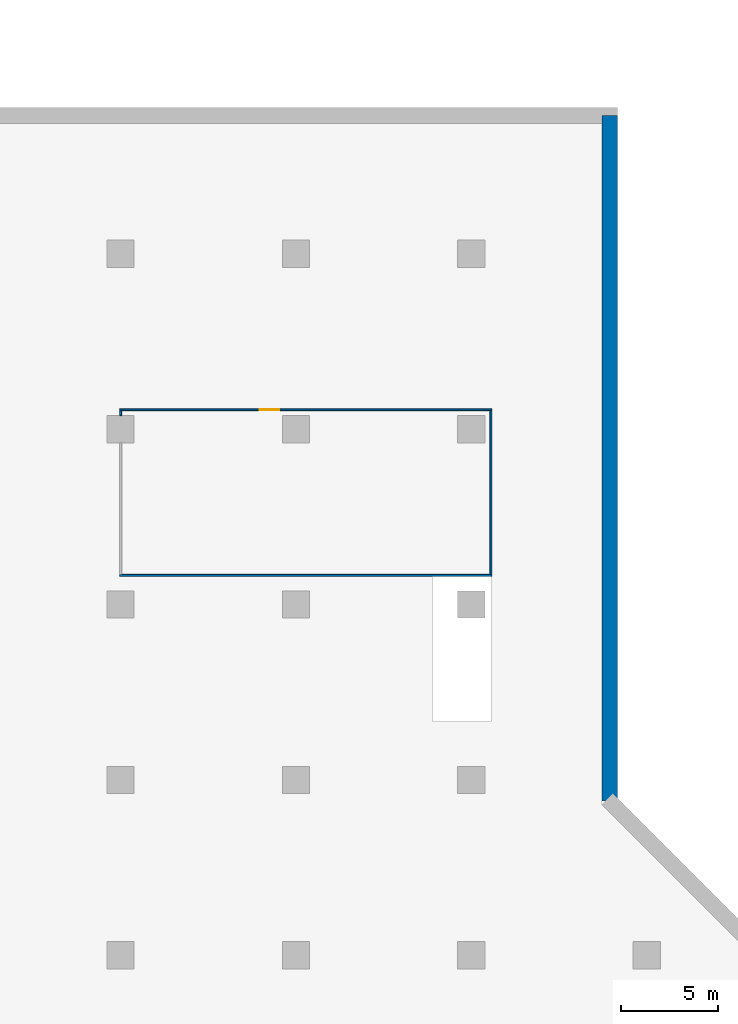
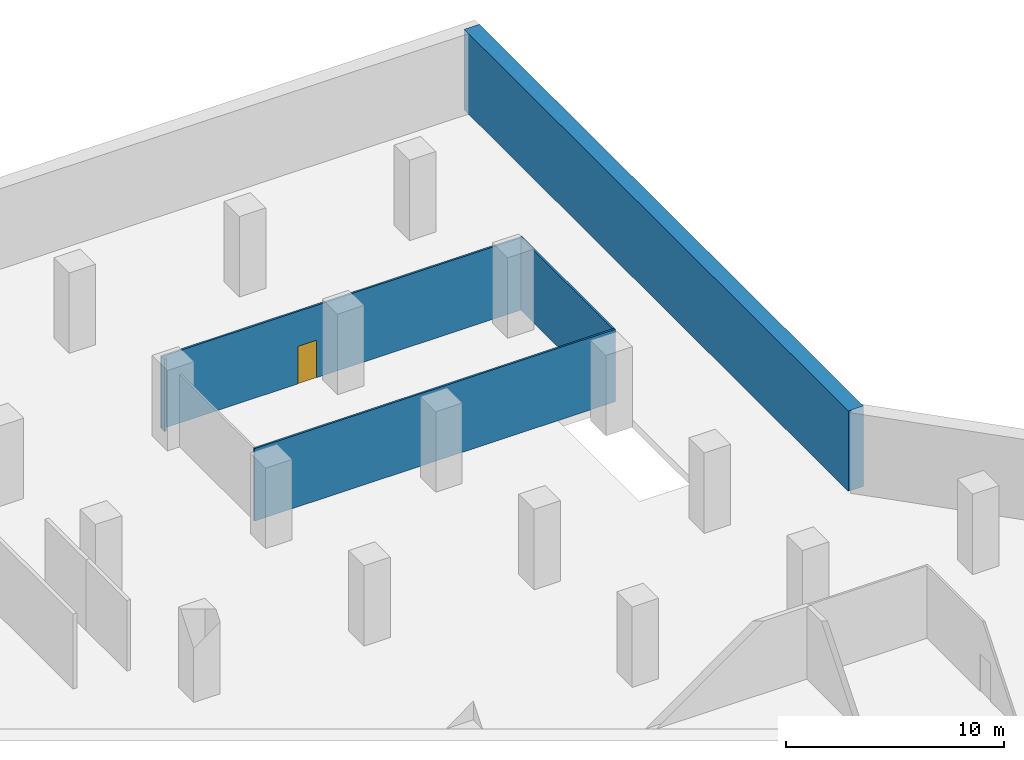
# One storey, part 7 of 10: 5 walls, 1 door, 1 opening.
"""IFC4 building model written with IfcOpenShell, lengths in metres."""

import ifcopenshell
import ifcopenshell.guid

model = None  # the IFC model being written
_history = None  # IfcOwnerHistory: only IFC2X3 demands one
_inside = {}  # id of a spatial element -> (the spatial element, [elements in it])
_under = {}  # id of a project, library or spatial element -> (it, [spatial elements below it])
_declared = {}  # id of a project -> (the project, [libraries it declares])
_typed = {}  # id of a type object -> (the type object, [elements of that type])
_made_of = {}  # id of a material, layer set ... -> (it, [elements and type objects made of it])


def new_model(schema):
    """Start an empty IFC model of exactly this schema.

    Asked for "IFC4X3", IfcOpenShell would pick the latest addendum, in which some entities
    have other attributes; the version numbers below select the first issue.
    IFC2X3 requires an IfcOwnerHistory on every rooted entity: one is made here for all.
    """
    global model, _history
    if schema == "IFC4X3":
        model = ifcopenshell.file(schema_version=(4, 3, 0, 0))
    else:
        model = ifcopenshell.file(schema=schema)
    _inside.clear()
    _under.clear()
    _declared.clear()
    _typed.clear()
    _made_of.clear()
    _history = None
    if model.schema == "IFC2X3":
        org = make("IfcOrganization", Name="unknown")
        user = make(
            "IfcPersonAndOrganization",
            ThePerson=make("IfcPerson", FamilyName="unknown"),
            TheOrganization=org,
        )
        app = make(
            "IfcApplication",
            ApplicationDeveloper=org,
            Version="unknown",
            ApplicationFullName="unknown",
            ApplicationIdentifier="unknown",
        )
        _history = make(
            "IfcOwnerHistory",
            OwningUser=user,
            OwningApplication=app,
            ChangeAction="ADDED",
            CreationDate=0,
        )
    return model


def make(cls, **values):
    """One entity of the class cls with the attributes given. An attribute that is None is left unset."""
    return model.create_entity(
        cls, **{name: value for name, value in values.items() if value is not None}
    )


def rooted(cls, **values):
    """An entity with a GlobalId (a new one), such as an element, a storey or a relation."""
    return make(cls, GlobalId=ifcopenshell.guid.new(), OwnerHistory=_history, **values)


def si_unit(unit_type, name, prefix=None):
    """IfcSIUnit, for example si_unit("LENGTHUNIT", "METRE", prefix="MILLI")."""
    return make("IfcSIUnit", UnitType=unit_type, Prefix=prefix, Name=name)


def assignment(units):
    """IfcUnitAssignment: the units of a project."""
    return None if units is None else make("IfcUnitAssignment", Units=units)


def point(xyz):
    """IfcCartesianPoint."""
    return None if xyz is None else make("IfcCartesianPoint", Coordinates=xyz)


def direction(xyz):
    """IfcDirection."""
    return None if xyz is None else make("IfcDirection", DirectionRatios=xyz)


def frame(location, z_axis=None, x_axis=None):
    """IfcAxis2Placement3D, a coordinate frame: its origin and axes. An axis left out is left unset."""
    return make(
        "IfcAxis2Placement3D",
        Location=point(location),
        Axis=direction(z_axis),
        RefDirection=direction(x_axis),
    )


def frame_2d(location, x_axis=None):
    """IfcAxis2Placement2D, a coordinate frame in the plane: its origin and x axis."""
    return make(
        "IfcAxis2Placement2D", Location=point(location), RefDirection=direction(x_axis)
    )


def origin():
    """The frame at (0, 0, 0) with its axes left unset."""
    return frame((0.0, 0.0, 0.0))


def place(relative_to, where):
    """IfcLocalPlacement: puts the frame where relative to a parent placement (None: the world)."""
    return make(
        "IfcLocalPlacement", PlacementRelTo=relative_to, RelativePlacement=where
    )


def context(
    kind, dimensions, precision=None, world=None, true_north=None, identifier=None
):
    """IfcGeometricRepresentationContext, for example the 3D "Model" context."""
    return make(
        "IfcGeometricRepresentationContext",
        ContextIdentifier=identifier,
        ContextType=kind,
        CoordinateSpaceDimension=dimensions,
        Precision=precision,
        WorldCoordinateSystem=world,
        TrueNorth=true_north,
    )


def subcontext(parent, identifier, kind, view, scale=None):
    """IfcGeometricRepresentationSubContext, for example "Body" below "Model"."""
    return make(
        "IfcGeometricRepresentationSubContext",
        ContextIdentifier=identifier,
        ContextType=kind,
        ParentContext=parent,
        TargetScale=scale,
        TargetView=view,
    )


def project(units=None, contexts=None):
    """IfcProject with its units and contexts."""
    return rooted(
        "IfcProject",
        Name="project",
        RepresentationContexts=contexts,
        UnitsInContext=assignment(units),
    )


def spatial(cls, under=None, at=None, **own):
    """A site, building, storey or space (cls), placed at a placement, below another one or the project."""
    s = rooted(cls, ObjectPlacement=at, **own)
    if under is not None:
        _under.setdefault(under.id(), (under, []))[1].append(s)
    return s


def profile(cls, at=None, kind="AREA", **sizes):
    """A parametric profile (cls). Its sizes go by their IFC names, for example OverallWidth=200.0."""
    return make(cls, ProfileType=kind, Position=at, **sizes)


def rectangle(**sizes):
    """IfcRectangleProfileDef."""
    return profile("IfcRectangleProfileDef", **sizes)


def extrude(swept, where, along, depth):
    """IfcExtrudedAreaSolid: the profile swept, set in the frame where, extruded along a direction by depth."""
    return make(
        "IfcExtrudedAreaSolid",
        SweptArea=swept,
        Position=where,
        ExtrudedDirection=direction(along),
        Depth=depth,
    )


def shape(context_of_items, identifier, shape_type, items):
    """IfcShapeRepresentation: the items that make up one representation, for example the "Body"."""
    return make(
        "IfcShapeRepresentation",
        ContextOfItems=context_of_items,
        RepresentationIdentifier=identifier,
        RepresentationType=shape_type,
        Items=items,
    )


def material(Name=None, Category=None):
    """IfcMaterial."""
    return make("IfcMaterial", Name=Name, Category=Category)


def layer(
    of_material, thickness, ventilated=None, Name=None, Category=None, Priority=None
):
    """IfcMaterialLayer: one layer of a wall or slab, of a material (None: an air gap)."""
    return make(
        "IfcMaterialLayer",
        Material=of_material,
        LayerThickness=thickness,
        IsVentilated=ventilated,
        Name=Name,
        Category=Category,
        Priority=Priority,
    )


def layer_set(layers, Name=None):
    """IfcMaterialLayerSet."""
    return make("IfcMaterialLayerSet", MaterialLayers=layers, LayerSetName=Name)


def made_of(thing, what):
    """Note that an element or type object is made of a material, layer set ...; save() writes the relation."""
    if what is not None:
        _made_of.setdefault(what.id(), (what, []))[1].append(thing)
    return thing


def type_object(cls, material=None, **own):
    """A type object (cls), such as IfcWallType, which elements share."""
    return made_of(rooted(cls, **own), material)


def element(
    cls,
    number,
    at=None,
    inside=None,
    cuts=None,
    type_object=None,
    material=None,
    context=None,
    identifier="Body",
    shape_type=None,
    held_by="IfcProductDefinitionShape",
    body=None,
    shapes=None,
    **own,
):
    """One element of the class cls, such as IfcWall. Its Tag is "e" and its number.

    at: its placement. inside: the storey or other place that contains it. cuts: it is an
    opening in that element (IfcRelVoidsElement). A single representation is given by context,
    identifier, shape_type and body (its items); several are given by shapes. held_by: the class
    of the entity that holds the representations. save() writes the other relations.
    """
    e = rooted(cls, Tag="e%d" % number, ObjectPlacement=at, **own)
    if body is not None:
        shapes = [shape(context, identifier, shape_type, body)]
    if shapes is not None:
        e.Representation = make(held_by, Representations=shapes)
    if inside is not None:
        _inside.setdefault(inside.id(), (inside, []))[1].append(e)
    if cuts is not None:
        rooted(
            "IfcRelVoidsElement", RelatingBuildingElement=cuts, RelatedOpeningElement=e
        )
    if type_object is not None:
        _typed.setdefault(type_object.id(), (type_object, []))[1].append(e)
    return made_of(e, material)


def fill(opening, filler):
    """IfcRelFillsElement: the door or window that sits in an opening."""
    return rooted(
        "IfcRelFillsElement",
        RelatingOpeningElement=opening,
        RelatedBuildingElement=filler,
    )


def aggregate(whole, parts):
    """IfcRelAggregates: a whole, such as a stair, and the parts it consists of."""
    return rooted("IfcRelAggregates", RelatingObject=whole, RelatedObjects=parts)


def save(model, path):
    """Write the relations noted so far, then the file.

    IfcRelAggregates (storeys below a building ...), IfcRelContainedInSpatialStructure (elements
    in a storey), IfcRelDefinesByType, IfcRelAssociatesMaterial and IfcRelDeclares: one each for
    every whole, place, type object, material and project.
    """
    for whole, parts in _under.values():
        aggregate(whole, parts)
    for where, things in _inside.values():
        rooted(
            "IfcRelContainedInSpatialStructure",
            RelatedElements=things,
            RelatingStructure=where,
        )
    for kind, things in _typed.values():
        rooted("IfcRelDefinesByType", RelatedObjects=things, RelatingType=kind)
    for what, things in _made_of.values():
        rooted("IfcRelAssociatesMaterial", RelatedObjects=things, RelatingMaterial=what)
    for by, libraries in _declared.values():
        rooted("IfcRelDeclares", RelatingContext=by, RelatedDefinitions=libraries)
    model.write(path)


model = new_model("IFC4")

# Units and contexts
model_context = context("Model", 3, precision=1e-05, world=origin(), true_north=direction((0.0, 1.0)))
body_context = subcontext(model_context, "Body", "Model", "MODEL_VIEW")
ifc_project = project(units=[si_unit("LENGTHUNIT", "METRE"), si_unit("AREAUNIT", "SQUARE_METRE"), si_unit("VOLUMEUNIT", "CUBIC_METRE"), si_unit("PLANEANGLEUNIT", "RADIAN"), si_unit("MASSUNIT", "GRAM", prefix="KILO")], contexts=[model_context])

# Site, building, storey
site_placement = place(None, origin())
site = spatial("IfcSite", under=ifc_project, at=site_placement, CompositionType="ELEMENT")
building_placement = place(site_placement, origin())
building = spatial("IfcBuilding", under=site, at=building_placement, Name="Chenar Terraces", CompositionType="ELEMENT")
storey_placement = place(building_placement, frame((0.0, 0.0, -9.0)))
storey = spatial("IfcBuildingStorey", under=building, at=storey_placement, Name="B2", CompositionType="ELEMENT", Elevation=-9.0)

# Walls
ifc_material_1 = material(Name="Concrete C40/50", Category="concrete")
ifc_layer_1 = layer(ifc_material_1, 0.800048828125)
ifc_layer_set_1 = layer_set([ifc_layer_1], Name="Concrete C40/50")
wall_type_1 = type_object("IfcWallType", Name="Diaphragm wall 800 Concrete C40/50", PredefinedType="SOLIDWALL", material=ifc_layer_set_1)
wall_1_placement = place(storey_placement, frame((79.10009765625, 43.91162109375, 0.0), z_axis=(0.0, 0.0, 1.0), x_axis=(0.0, 1.0, 0.0)))
element("IfcWall", 1, at=wall_1_placement, inside=storey, type_object=wall_type_1, Name="Diaphragm wall B2 10", PredefinedType="SOLIDWALL", context=body_context, shape_type="SweptSolid", body=[
    extrude(rectangle(XDim=35.1884765625, YDim=0.800048828125, at=frame_2d((17.59423828125, 0.0))), origin(), (0.0, 0.0, 1.0), 4.5),
])
ifc_material_2 = material(Name="Gypsum board on steel studs", Category="steel")
ifc_layer_2 = layer(ifc_material_2, 0.10009765625)
ifc_layer_set_2 = layer_set([ifc_layer_2], Name="Gypsum board on steel studs")
wall_type_2 = type_object("IfcWallType", Name="Gypsum partition 100", PredefinedType="PARTITIONING", material=ifc_layer_set_2)
wall_2_placement = place(storey_placement, frame((53.949951171875, 55.5, 0.0), z_axis=(0.0, 0.0, 1.0), x_axis=(1.0, 0.0, 0.0)))
element("IfcWall", 2, at=wall_2_placement, inside=storey, type_object=wall_type_2, Name="Partition B2-019", PredefinedType="PARTITIONING", context=body_context, shape_type="SweptSolid", body=[
    extrude(rectangle(XDim=19.10009765625, YDim=0.10009765625, at=frame_2d((9.550048828125, 0.0))), origin(), (0.0, 0.0, 1.0), 4.050048828125),
])

# Wall, opening, door
wall_3_placement = place(storey_placement, frame((53.949951171875, 64.0, 0.0), z_axis=(0.0, 0.0, 1.0), x_axis=(1.0, 0.0, 0.0)))
wall_3 = element("IfcWall", 3, at=wall_3_placement, inside=storey, type_object=wall_type_2, Name="Partition B2-020", PredefinedType="PARTITIONING", context=body_context, shape_type="SweptSolid", body=[
    extrude(rectangle(XDim=19.10009765625, YDim=0.10009765625, at=frame_2d((9.550048828125, 0.0))), origin(), (0.0, 0.0, 1.0), 4.050048828125),
])
opening_placement = place(wall_3_placement, frame((7.199951171875, 0.0, 0.0)))
opening = element("IfcOpeningElement", 4, at=opening_placement, cuts=wall_3, Name="Opening DB2-11", PredefinedType="OPENING", context=body_context, shape_type="SweptSolid", body=[
    extrude(rectangle(XDim=1.0, YDim=2.10009765625, at=frame_2d((0.5, 1.050048828125))), frame((0.0, 0.06005859375, 0.0), z_axis=(0.0, -1.0, 0.0), x_axis=(1.0, 0.0, 0.0)), (0.0, 0.0, 1.0), 0.1201171875),
])
ifc_material_3 = material(Name="Veneered timber door leaf", Category="wood")
door_type = type_object("IfcDoorType", Name="Door 1000 x 2100", OperationType="SINGLE_SWING_LEFT", PredefinedType="DOOR", material=ifc_material_3)
door_placement = place(opening_placement, frame((1.0, 0.0, 0.0), z_axis=(0.0, 0.0, 1.0), x_axis=(-1.0, 0.0, 0.0)))
door = element("IfcDoor", 5, at=door_placement, inside=storey, type_object=door_type, Name="Door DB2-11", OperationType="SINGLE_SWING_RIGHT", OverallHeight=2.10009765625, OverallWidth=1.0, PredefinedType="DOOR", context=body_context, shape_type="SweptSolid", body=[
    extrude(rectangle(XDim=1.0, YDim=2.10009765625, at=frame_2d((0.5, 1.050048828125))), frame((0.0, 0.02490234375, 0.0), z_axis=(0.0, -1.0, 0.0), x_axis=(1.0, 0.0, 0.0)), (0.0, 0.0, 1.0), 0.050048828125),
])
fill(opening, door)

# Walls
wall_4_placement = place(storey_placement, frame((54.0, 63.698974609375, 0.0), z_axis=(0.0, 0.0, 1.0), x_axis=(0.0, 1.0, 0.0)))
element("IfcWall", 6, at=wall_4_placement, inside=storey, type_object=wall_type_2, Name="Partition B2-022", PredefinedType="PARTITIONING", context=body_context, shape_type="SweptSolid", body=[
    extrude(rectangle(XDim=0.2509765625, YDim=0.10009765625, at=frame_2d((0.12548828125, 0.0))), origin(), (0.0, 0.0, 1.0), 4.050048828125),
])
wall_5_placement = place(storey_placement, frame((73.0, 55.550048828125, 0.0), z_axis=(0.0, 0.0, 1.0), x_axis=(0.0, 1.0, 0.0)))
element("IfcWall", 7, at=wall_5_placement, inside=storey, type_object=wall_type_2, Name="Partition B2-029", PredefinedType="PARTITIONING", context=body_context, shape_type="SweptSolid", body=[
    extrude(rectangle(XDim=8.39990234375, YDim=0.10009765625, at=frame_2d((4.199951171875, 0.0))), origin(), (0.0, 0.0, 1.0), 4.050048828125),
])

save(model, "model.ifc")
